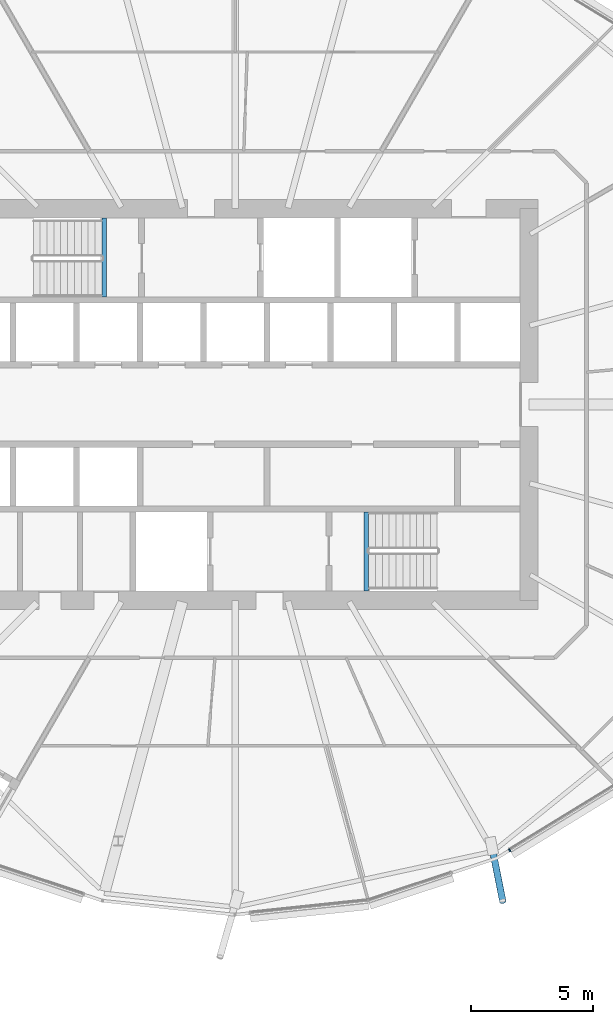
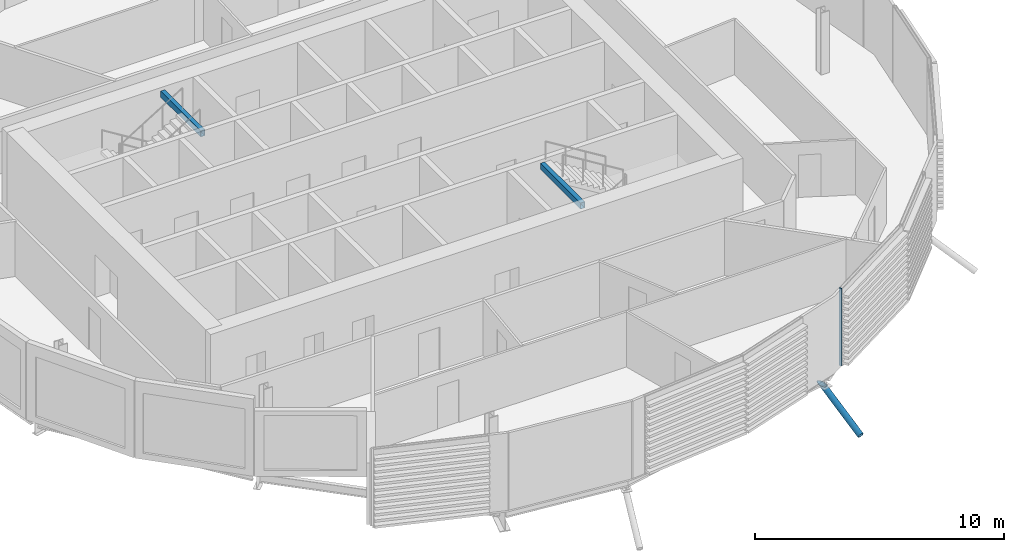
# One storey, part 6 of 38: 2 beams, 2 members, 1 element without a shape of its own.
"""IFC4 building model written with IfcOpenShell, lengths in metres."""

import ifcopenshell
import ifcopenshell.guid

model = None  # the IFC model being written
_history = None  # IfcOwnerHistory: only IFC2X3 demands one
_inside = {}  # id of a spatial element -> (the spatial element, [elements in it])
_under = {}  # id of a project, library or spatial element -> (it, [spatial elements below it])
_declared = {}  # id of a project -> (the project, [libraries it declares])
_typed = {}  # id of a type object -> (the type object, [elements of that type])
_made_of = {}  # id of a material, layer set ... -> (it, [elements and type objects made of it])


def new_model(schema):
    """Start an empty IFC model of exactly this schema.

    Asked for "IFC4X3", IfcOpenShell would pick the latest addendum, in which some entities
    have other attributes; the version numbers below select the first issue.
    IFC2X3 requires an IfcOwnerHistory on every rooted entity: one is made here for all.
    """
    global model, _history
    if schema == "IFC4X3":
        model = ifcopenshell.file(schema_version=(4, 3, 0, 0))
    else:
        model = ifcopenshell.file(schema=schema)
    _inside.clear()
    _under.clear()
    _declared.clear()
    _typed.clear()
    _made_of.clear()
    _history = None
    if model.schema == "IFC2X3":
        org = make("IfcOrganization", Name="unknown")
        user = make(
            "IfcPersonAndOrganization",
            ThePerson=make("IfcPerson", FamilyName="unknown"),
            TheOrganization=org,
        )
        app = make(
            "IfcApplication",
            ApplicationDeveloper=org,
            Version="unknown",
            ApplicationFullName="unknown",
            ApplicationIdentifier="unknown",
        )
        _history = make(
            "IfcOwnerHistory",
            OwningUser=user,
            OwningApplication=app,
            ChangeAction="ADDED",
            CreationDate=0,
        )
    return model


def make(cls, **values):
    """One entity of the class cls with the attributes given. An attribute that is None is left unset."""
    return model.create_entity(
        cls, **{name: value for name, value in values.items() if value is not None}
    )


def rooted(cls, **values):
    """An entity with a GlobalId (a new one), such as an element, a storey or a relation."""
    return make(cls, GlobalId=ifcopenshell.guid.new(), OwnerHistory=_history, **values)


def si_unit(unit_type, name, prefix=None):
    """IfcSIUnit, for example si_unit("LENGTHUNIT", "METRE", prefix="MILLI")."""
    return make("IfcSIUnit", UnitType=unit_type, Prefix=prefix, Name=name)


def assignment(units):
    """IfcUnitAssignment: the units of a project."""
    return None if units is None else make("IfcUnitAssignment", Units=units)


def point(xyz):
    """IfcCartesianPoint."""
    return None if xyz is None else make("IfcCartesianPoint", Coordinates=xyz)


def direction(xyz):
    """IfcDirection."""
    return None if xyz is None else make("IfcDirection", DirectionRatios=xyz)


def frame(location, z_axis=None, x_axis=None):
    """IfcAxis2Placement3D, a coordinate frame: its origin and axes. An axis left out is left unset."""
    return make(
        "IfcAxis2Placement3D",
        Location=point(location),
        Axis=direction(z_axis),
        RefDirection=direction(x_axis),
    )


def frame_2d(location, x_axis=None):
    """IfcAxis2Placement2D, a coordinate frame in the plane: its origin and x axis."""
    return make(
        "IfcAxis2Placement2D", Location=point(location), RefDirection=direction(x_axis)
    )


def origin():
    """The frame at (0, 0, 0) with its axes left unset."""
    return frame((0.0, 0.0, 0.0))


def origin_2d():
    """The frame at (0, 0) in the plane with its x axis left unset."""
    return frame_2d((0.0, 0.0))


def place(relative_to, where):
    """IfcLocalPlacement: puts the frame where relative to a parent placement (None: the world)."""
    return make(
        "IfcLocalPlacement", PlacementRelTo=relative_to, RelativePlacement=where
    )


def context(
    kind, dimensions, precision=None, world=None, true_north=None, identifier=None
):
    """IfcGeometricRepresentationContext, for example the 3D "Model" context."""
    return make(
        "IfcGeometricRepresentationContext",
        ContextIdentifier=identifier,
        ContextType=kind,
        CoordinateSpaceDimension=dimensions,
        Precision=precision,
        WorldCoordinateSystem=world,
        TrueNorth=true_north,
    )


def subcontext(parent, identifier, kind, view, scale=None):
    """IfcGeometricRepresentationSubContext, for example "Body" below "Model"."""
    return make(
        "IfcGeometricRepresentationSubContext",
        ContextIdentifier=identifier,
        ContextType=kind,
        ParentContext=parent,
        TargetScale=scale,
        TargetView=view,
    )


def project(units=None, contexts=None):
    """IfcProject with its units and contexts."""
    return rooted(
        "IfcProject",
        Name="project",
        RepresentationContexts=contexts,
        UnitsInContext=assignment(units),
    )


def spatial(cls, under=None, at=None, **own):
    """A site, building, storey or space (cls), placed at a placement, below another one or the project."""
    s = rooted(cls, ObjectPlacement=at, **own)
    if under is not None:
        _under.setdefault(under.id(), (under, []))[1].append(s)
    return s


def profile(cls, at=None, kind="AREA", **sizes):
    """A parametric profile (cls). Its sizes go by their IFC names, for example OverallWidth=200.0."""
    return make(cls, ProfileType=kind, Position=at, **sizes)


def rectangle(**sizes):
    """IfcRectangleProfileDef."""
    return profile("IfcRectangleProfileDef", **sizes)


def hollow_rectangle(**sizes):
    """IfcRectangleHollowProfileDef."""
    return profile("IfcRectangleHollowProfileDef", **sizes)


def hollow_circle(**sizes):
    """IfcCircleHollowProfileDef."""
    return profile("IfcCircleHollowProfileDef", **sizes)


def extrude(swept, where, along, depth):
    """IfcExtrudedAreaSolid: the profile swept, set in the frame where, extruded along a direction by depth."""
    return make(
        "IfcExtrudedAreaSolid",
        SweptArea=swept,
        Position=where,
        ExtrudedDirection=direction(along),
        Depth=depth,
    )


def clip(a, b, op="DIFFERENCE"):
    """IfcBooleanClippingResult: the solid a cut by the half space b."""
    return make(
        "IfcBooleanClippingResult", Operator=op, FirstOperand=a, SecondOperand=b
    )


def halfspace(plane, agree):
    """IfcHalfSpaceSolid: all space on one side of the plane z = 0 of the frame plane."""
    return make(
        "IfcHalfSpaceSolid",
        BaseSurface=make("IfcPlane", Position=plane),
        AgreementFlag=agree,
    )


def shape(context_of_items, identifier, shape_type, items):
    """IfcShapeRepresentation: the items that make up one representation, for example the "Body"."""
    return make(
        "IfcShapeRepresentation",
        ContextOfItems=context_of_items,
        RepresentationIdentifier=identifier,
        RepresentationType=shape_type,
        Items=items,
    )


def material(Name=None, Category=None):
    """IfcMaterial."""
    return make("IfcMaterial", Name=Name, Category=Category)


def material_profile(
    of_material, cross_section, Name=None, Category=None, Priority=None
):
    """IfcMaterialProfile: a cross section and its material."""
    return make(
        "IfcMaterialProfile",
        Name=Name,
        Material=of_material,
        Profile=cross_section,
        Priority=Priority,
        Category=Category,
    )


def profile_set(profiles, Name=None, composite=None):
    """IfcMaterialProfileSet."""
    return make(
        "IfcMaterialProfileSet",
        Name=Name,
        MaterialProfiles=profiles,
        CompositeProfile=composite,
    )


def made_of(thing, what):
    """Note that an element or type object is made of a material, layer set ...; save() writes the relation."""
    if what is not None:
        _made_of.setdefault(what.id(), (what, []))[1].append(thing)
    return thing


def type_object(cls, material=None, **own):
    """A type object (cls), such as IfcWallType, which elements share."""
    return made_of(rooted(cls, **own), material)


def element(
    cls,
    number,
    at=None,
    inside=None,
    cuts=None,
    type_object=None,
    material=None,
    context=None,
    identifier="Body",
    shape_type=None,
    held_by="IfcProductDefinitionShape",
    body=None,
    shapes=None,
    **own,
):
    """One element of the class cls, such as IfcWall. Its Tag is "e" and its number.

    at: its placement. inside: the storey or other place that contains it. cuts: it is an
    opening in that element (IfcRelVoidsElement). A single representation is given by context,
    identifier, shape_type and body (its items); several are given by shapes. held_by: the class
    of the entity that holds the representations. save() writes the other relations.
    """
    e = rooted(cls, Tag="e%d" % number, ObjectPlacement=at, **own)
    if body is not None:
        shapes = [shape(context, identifier, shape_type, body)]
    if shapes is not None:
        e.Representation = make(held_by, Representations=shapes)
    if inside is not None:
        _inside.setdefault(inside.id(), (inside, []))[1].append(e)
    if cuts is not None:
        rooted(
            "IfcRelVoidsElement", RelatingBuildingElement=cuts, RelatedOpeningElement=e
        )
    if type_object is not None:
        _typed.setdefault(type_object.id(), (type_object, []))[1].append(e)
    return made_of(e, material)


def aggregate(whole, parts):
    """IfcRelAggregates: a whole, such as a stair, and the parts it consists of."""
    return rooted("IfcRelAggregates", RelatingObject=whole, RelatedObjects=parts)


def save(model, path):
    """Write the relations noted so far, then the file.

    IfcRelAggregates (storeys below a building ...), IfcRelContainedInSpatialStructure (elements
    in a storey), IfcRelDefinesByType, IfcRelAssociatesMaterial and IfcRelDeclares: one each for
    every whole, place, type object, material and project.
    """
    for whole, parts in _under.values():
        aggregate(whole, parts)
    for where, things in _inside.values():
        rooted(
            "IfcRelContainedInSpatialStructure",
            RelatedElements=things,
            RelatingStructure=where,
        )
    for kind, things in _typed.values():
        rooted("IfcRelDefinesByType", RelatedObjects=things, RelatingType=kind)
    for what, things in _made_of.values():
        rooted("IfcRelAssociatesMaterial", RelatedObjects=things, RelatingMaterial=what)
    for by, libraries in _declared.values():
        rooted("IfcRelDeclares", RelatingContext=by, RelatedDefinitions=libraries)
    model.write(path)


model = new_model("IFC4")

# Units and contexts
model_context = context("Model", 3, precision=1e-05, world=origin(), true_north=direction((0.0, 1.0)))
body_context = subcontext(model_context, "Body", "Model", "MODEL_VIEW")
ifc_project = project(units=[si_unit("LENGTHUNIT", "METRE"), si_unit("AREAUNIT", "SQUARE_METRE"), si_unit("VOLUMEUNIT", "CUBIC_METRE"), si_unit("PLANEANGLEUNIT", "RADIAN"), si_unit("MASSUNIT", "GRAM", prefix="KILO")], contexts=[model_context])

# Site, building, storey
site_placement = place(None, origin())
site = spatial("IfcSite", under=ifc_project, at=site_placement, CompositionType="ELEMENT")
building_placement = place(site_placement, origin())
building = spatial("IfcBuilding", under=site, at=building_placement, Name="Rimbun Link Towers", CompositionType="ELEMENT")
storey_placement = place(building_placement, frame((0.0, 0.0, 108.199951171875)))
storey = spatial("IfcBuildingStorey", under=building, at=storey_placement, Name="L26", CompositionType="ELEMENT", Elevation=108.199951171875)

# Curtain wall, member
ifc_material_1 = material(Name="Aluminium 6063-T6 and low-iron glass", Category="aluminium")
curtain_wall_type = type_object("IfcCurtainWallType", Name="CW1-Z2 unitised vision wall (zone 2)", PredefinedType="NOTDEFINED", material=ifc_material_1)
curtain_wall_placement = place(storey_placement, origin())
curtain_wall = element("IfcCurtainWall", 1, at=curtain_wall_placement, inside=storey, type_object=curtain_wall_type, Name="CW1 L26 T1", PredefinedType="NOTDEFINED")
ifc_material_2 = material(Name="Aluminium 6063-T6", Category="aluminium")
ifc_material_profile_1 = material_profile(ifc_material_2, rectangle(XDim=0.1201171875, YDim=0.06005859375, at=origin_2d()), Name="MULLION 60X120")
ifc_profile_set_1 = profile_set([ifc_material_profile_1], Name="Aluminium 6063-T6")
member_type_1 = type_object("IfcMemberType", Name="CW1 mullion 60X120", PredefinedType="MULLION", material=ifc_profile_set_1)
member_1_placement = place(storey_placement, frame((-20.539306640625, -18.214599609375, 0.0), z_axis=(0.0, 0.0, 1.0), x_axis=(0.523241267863, -0.852184590101, 0.0)))
member_1 = element("IfcMember", 2, at=member_1_placement, type_object=member_type_1, Name="CW1 mullion", PredefinedType="MULLION", context=body_context, shape_type="SweptSolid", body=[
    extrude(rectangle(XDim=0.1201171875, YDim=0.06005859375, at=origin_2d()), origin(), (0.0, 0.0, 1.0), 3.800048828125),
])
aggregate(curtain_wall, [member_1])

# Member
ifc_material_3 = material(Name="Steel S355J2H", Category="steel")
ifc_material_profile_2 = material_profile(ifc_material_3, hollow_circle(Radius=0.136474609375, WallThickness=0.012451171875, at=origin_2d()), Name="CHS 273x12.5")
ifc_profile_set_2 = profile_set([ifc_material_profile_2], Name="Steel S355J2H")
member_type_2 = type_object("IfcMemberType", Name="Floor edge link CHS 273x12.5", PredefinedType="BRACE", material=ifc_profile_set_2)
member_2_placement = place(storey_placement, frame((-21.234619140625, -18.213134765625, -0.881591796875), z_axis=(0.171173339348, -0.858754437776, -0.482949793972), x_axis=(0.980707310336, 0.195481895462, 0.0)))
element("IfcMember", 3, at=member_2_placement, inside=storey, type_object=member_type_2, Name="Floor edge link T1 L26 20", PredefinedType="BRACE", context=body_context, shape_type="Clipping", body=[
    clip(extrude(hollow_circle(Radius=0.136474609375, WallThickness=0.012451171875, at=origin_2d()), frame((0.0, 0.0, -0.515625)), (0.0, 0.0, 1.0), 2.967529296875), halfspace(frame((0.0, 0.0, -0.242431640625), z_axis=(0.0, 0.875648043738, -0.482949793972)), False)),
])

# Beams
ifc_material_4 = material(Name="Steel S355J2", Category="steel")
ifc_material_profile_3 = material_profile(ifc_material_4, hollow_rectangle(XDim=0.199951171875, YDim=0.300048828125, WallThickness=0.011962890625, at=origin_2d()), Name="BOX 300x200x12")
ifc_profile_set_3 = profile_set([ifc_material_profile_3], Name="Steel S355J2")
beam_type = type_object("IfcBeamType", Name="Stair trimmer beam BOX 300x200x12", PredefinedType="BEAM", material=ifc_profile_set_3)
for number, where, z_axis, x_axis, name in (
    (4, (-37.10009765625, 7.625, 3.489990234375), (0.0, -1.0, 0.0), (1.0, 0.0, 0.0), "L26 ST1 stair beam 1"),
    (5, (-26.39990234375, -7.625, 3.489990234375), (0.0, 1.0, 0.0), (-1.0, 0.0, 0.0), "L26 ST2 stair beam 1"),
):
    element("IfcBeam", number, at=place(storey_placement, frame(where, z_axis=z_axis, x_axis=x_axis)), inside=storey, type_object=beam_type, Name=name, PredefinedType="BEAM", context=body_context, shape_type="SweptSolid", body=[
        extrude(hollow_rectangle(XDim=0.199951171875, YDim=0.300048828125, WallThickness=0.011962890625, at=origin_2d()), origin(), (0.0, 0.0, 1.0), 3.22509765625),
    ])

save(model, "model.ifc")
